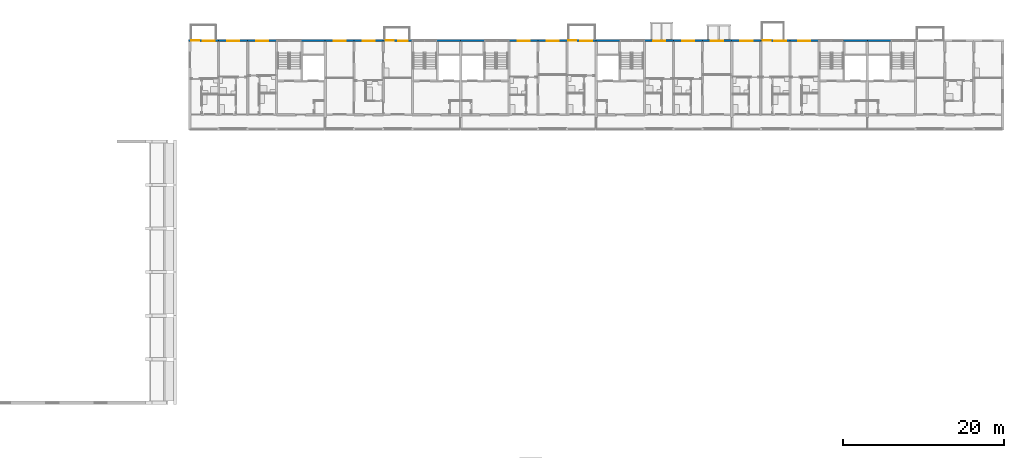
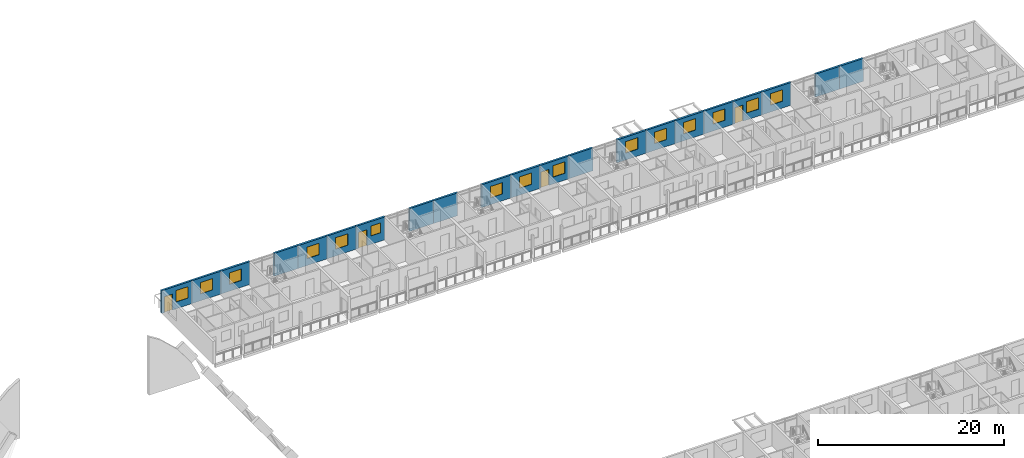
# One storey, part 60 of 100: 21 walls, 15 windows, 4 doors, 19 openings.
"""IFC4 building model written with IfcOpenShell, lengths in metres."""

import ifcopenshell
import ifcopenshell.guid

model = None  # the IFC model being written
_history = None  # IfcOwnerHistory: only IFC2X3 demands one
_inside = {}  # id of a spatial element -> (the spatial element, [elements in it])
_under = {}  # id of a project, library or spatial element -> (it, [spatial elements below it])
_declared = {}  # id of a project -> (the project, [libraries it declares])
_typed = {}  # id of a type object -> (the type object, [elements of that type])
_made_of = {}  # id of a material, layer set ... -> (it, [elements and type objects made of it])


def new_model(schema):
    """Start an empty IFC model of exactly this schema.

    Asked for "IFC4X3", IfcOpenShell would pick the latest addendum, in which some entities
    have other attributes; the version numbers below select the first issue.
    IFC2X3 requires an IfcOwnerHistory on every rooted entity: one is made here for all.
    """
    global model, _history
    if schema == "IFC4X3":
        model = ifcopenshell.file(schema_version=(4, 3, 0, 0))
    else:
        model = ifcopenshell.file(schema=schema)
    _inside.clear()
    _under.clear()
    _declared.clear()
    _typed.clear()
    _made_of.clear()
    _history = None
    if model.schema == "IFC2X3":
        org = make("IfcOrganization", Name="unknown")
        user = make(
            "IfcPersonAndOrganization",
            ThePerson=make("IfcPerson", FamilyName="unknown"),
            TheOrganization=org,
        )
        app = make(
            "IfcApplication",
            ApplicationDeveloper=org,
            Version="unknown",
            ApplicationFullName="unknown",
            ApplicationIdentifier="unknown",
        )
        _history = make(
            "IfcOwnerHistory",
            OwningUser=user,
            OwningApplication=app,
            ChangeAction="ADDED",
            CreationDate=0,
        )
    return model


def make(cls, **values):
    """One entity of the class cls with the attributes given. An attribute that is None is left unset."""
    return model.create_entity(
        cls, **{name: value for name, value in values.items() if value is not None}
    )


def rooted(cls, **values):
    """An entity with a GlobalId (a new one), such as an element, a storey or a relation."""
    return make(cls, GlobalId=ifcopenshell.guid.new(), OwnerHistory=_history, **values)


def si_unit(unit_type, name, prefix=None):
    """IfcSIUnit, for example si_unit("LENGTHUNIT", "METRE", prefix="MILLI")."""
    return make("IfcSIUnit", UnitType=unit_type, Prefix=prefix, Name=name)


def assignment(units):
    """IfcUnitAssignment: the units of a project."""
    return None if units is None else make("IfcUnitAssignment", Units=units)


def point(xyz):
    """IfcCartesianPoint."""
    return None if xyz is None else make("IfcCartesianPoint", Coordinates=xyz)


def direction(xyz):
    """IfcDirection."""
    return None if xyz is None else make("IfcDirection", DirectionRatios=xyz)


def frame(location, z_axis=None, x_axis=None):
    """IfcAxis2Placement3D, a coordinate frame: its origin and axes. An axis left out is left unset."""
    return make(
        "IfcAxis2Placement3D",
        Location=point(location),
        Axis=direction(z_axis),
        RefDirection=direction(x_axis),
    )


def frame_2d(location, x_axis=None):
    """IfcAxis2Placement2D, a coordinate frame in the plane: its origin and x axis."""
    return make(
        "IfcAxis2Placement2D", Location=point(location), RefDirection=direction(x_axis)
    )


def origin():
    """The frame at (0, 0, 0) with its axes left unset."""
    return frame((0.0, 0.0, 0.0))


def place(relative_to, where):
    """IfcLocalPlacement: puts the frame where relative to a parent placement (None: the world)."""
    return make(
        "IfcLocalPlacement", PlacementRelTo=relative_to, RelativePlacement=where
    )


def context(
    kind, dimensions, precision=None, world=None, true_north=None, identifier=None
):
    """IfcGeometricRepresentationContext, for example the 3D "Model" context."""
    return make(
        "IfcGeometricRepresentationContext",
        ContextIdentifier=identifier,
        ContextType=kind,
        CoordinateSpaceDimension=dimensions,
        Precision=precision,
        WorldCoordinateSystem=world,
        TrueNorth=true_north,
    )


def subcontext(parent, identifier, kind, view, scale=None):
    """IfcGeometricRepresentationSubContext, for example "Body" below "Model"."""
    return make(
        "IfcGeometricRepresentationSubContext",
        ContextIdentifier=identifier,
        ContextType=kind,
        ParentContext=parent,
        TargetScale=scale,
        TargetView=view,
    )


def project(units=None, contexts=None):
    """IfcProject with its units and contexts."""
    return rooted(
        "IfcProject",
        Name="project",
        RepresentationContexts=contexts,
        UnitsInContext=assignment(units),
    )


def spatial(cls, under=None, at=None, **own):
    """A site, building, storey or space (cls), placed at a placement, below another one or the project."""
    s = rooted(cls, ObjectPlacement=at, **own)
    if under is not None:
        _under.setdefault(under.id(), (under, []))[1].append(s)
    return s


def profile(cls, at=None, kind="AREA", **sizes):
    """A parametric profile (cls). Its sizes go by their IFC names, for example OverallWidth=200.0."""
    return make(cls, ProfileType=kind, Position=at, **sizes)


def rectangle(**sizes):
    """IfcRectangleProfileDef."""
    return profile("IfcRectangleProfileDef", **sizes)


def extrude(swept, where, along, depth):
    """IfcExtrudedAreaSolid: the profile swept, set in the frame where, extruded along a direction by depth."""
    return make(
        "IfcExtrudedAreaSolid",
        SweptArea=swept,
        Position=where,
        ExtrudedDirection=direction(along),
        Depth=depth,
    )


def shape(context_of_items, identifier, shape_type, items):
    """IfcShapeRepresentation: the items that make up one representation, for example the "Body"."""
    return make(
        "IfcShapeRepresentation",
        ContextOfItems=context_of_items,
        RepresentationIdentifier=identifier,
        RepresentationType=shape_type,
        Items=items,
    )


def material(Name=None, Category=None):
    """IfcMaterial."""
    return make("IfcMaterial", Name=Name, Category=Category)


def layer(
    of_material, thickness, ventilated=None, Name=None, Category=None, Priority=None
):
    """IfcMaterialLayer: one layer of a wall or slab, of a material (None: an air gap)."""
    return make(
        "IfcMaterialLayer",
        Material=of_material,
        LayerThickness=thickness,
        IsVentilated=ventilated,
        Name=Name,
        Category=Category,
        Priority=Priority,
    )


def layer_set(layers, Name=None):
    """IfcMaterialLayerSet."""
    return make("IfcMaterialLayerSet", MaterialLayers=layers, LayerSetName=Name)


def made_of(thing, what):
    """Note that an element or type object is made of a material, layer set ...; save() writes the relation."""
    if what is not None:
        _made_of.setdefault(what.id(), (what, []))[1].append(thing)
    return thing


def type_object(cls, material=None, **own):
    """A type object (cls), such as IfcWallType, which elements share."""
    return made_of(rooted(cls, **own), material)


def element(
    cls,
    number,
    at=None,
    inside=None,
    cuts=None,
    type_object=None,
    material=None,
    context=None,
    identifier="Body",
    shape_type=None,
    held_by="IfcProductDefinitionShape",
    body=None,
    shapes=None,
    **own,
):
    """One element of the class cls, such as IfcWall. Its Tag is "e" and its number.

    at: its placement. inside: the storey or other place that contains it. cuts: it is an
    opening in that element (IfcRelVoidsElement). A single representation is given by context,
    identifier, shape_type and body (its items); several are given by shapes. held_by: the class
    of the entity that holds the representations. save() writes the other relations.
    """
    e = rooted(cls, Tag="e%d" % number, ObjectPlacement=at, **own)
    if body is not None:
        shapes = [shape(context, identifier, shape_type, body)]
    if shapes is not None:
        e.Representation = make(held_by, Representations=shapes)
    if inside is not None:
        _inside.setdefault(inside.id(), (inside, []))[1].append(e)
    if cuts is not None:
        rooted(
            "IfcRelVoidsElement", RelatingBuildingElement=cuts, RelatedOpeningElement=e
        )
    if type_object is not None:
        _typed.setdefault(type_object.id(), (type_object, []))[1].append(e)
    return made_of(e, material)


def fill(opening, filler):
    """IfcRelFillsElement: the door or window that sits in an opening."""
    return rooted(
        "IfcRelFillsElement",
        RelatingOpeningElement=opening,
        RelatedBuildingElement=filler,
    )


def aggregate(whole, parts):
    """IfcRelAggregates: a whole, such as a stair, and the parts it consists of."""
    return rooted("IfcRelAggregates", RelatingObject=whole, RelatedObjects=parts)


def save(model, path):
    """Write the relations noted so far, then the file.

    IfcRelAggregates (storeys below a building ...), IfcRelContainedInSpatialStructure (elements
    in a storey), IfcRelDefinesByType, IfcRelAssociatesMaterial and IfcRelDeclares: one each for
    every whole, place, type object, material and project.
    """
    for whole, parts in _under.values():
        aggregate(whole, parts)
    for where, things in _inside.values():
        rooted(
            "IfcRelContainedInSpatialStructure",
            RelatedElements=things,
            RelatingStructure=where,
        )
    for kind, things in _typed.values():
        rooted("IfcRelDefinesByType", RelatedObjects=things, RelatingType=kind)
    for what, things in _made_of.values():
        rooted("IfcRelAssociatesMaterial", RelatedObjects=things, RelatingMaterial=what)
    for by, libraries in _declared.values():
        rooted("IfcRelDeclares", RelatingContext=by, RelatedDefinitions=libraries)
    model.write(path)


model = new_model("IFC4")

# Units and contexts
model_context = context("Model", 3, precision=1e-05, world=origin(), true_north=direction((0.0, 1.0)))
body_context = subcontext(model_context, "Body", "Model", "MODEL_VIEW")
ifc_project = project(units=[si_unit("LENGTHUNIT", "METRE"), si_unit("AREAUNIT", "SQUARE_METRE"), si_unit("VOLUMEUNIT", "CUBIC_METRE"), si_unit("PLANEANGLEUNIT", "RADIAN"), si_unit("MASSUNIT", "GRAM", prefix="KILO")], contexts=[model_context])

# Site, building, storey
site_placement = place(None, origin())
site = spatial("IfcSite", under=ifc_project, at=site_placement, CompositionType="ELEMENT")
building_placement = place(site_placement, origin())
building = spatial("IfcBuilding", under=site, at=building_placement, Name="Ridgestep Commons", CompositionType="ELEMENT")
storey_placement = place(building_placement, frame((0.0, 0.0, 9.0)))
storey = spatial("IfcBuildingStorey", under=building, at=storey_placement, Name="L03", CompositionType="ELEMENT", Elevation=9.0)

# Wall, openings, door, window
ifc_material_1 = material(Name="Precast concrete C40/50", Category="concrete")
ifc_layer = layer(ifc_material_1, 0.25)
ifc_layer_set = layer_set([ifc_layer], Name="North facade panel 250")
wall_type = type_object("IfcWallType", Name="North facade panel 250", PredefinedType="SOLIDWALL", material=ifc_layer_set)
wall_1_placement = place(storey_placement, frame((146.64990234375, 77.125, 0.0), z_axis=(0.0, 0.0, 1.0), x_axis=(1.0, 0.0, 0.0)))
wall_1 = element("IfcWall", 1, at=wall_1_placement, inside=storey, type_object=wall_type, Name="North panel C1T1 L03", PredefinedType="SOLIDWALL", context=body_context, shape_type="SweptSolid", body=[
    extrude(rectangle(XDim=3.75, YDim=0.25, at=frame_2d((1.875, 0.0))), origin(), (0.0, 0.0, 1.0), 3.0),
])
opening_1_placement = place(wall_1_placement, frame((1.79052734375, 0.0, 0.89990234375)))
opening_1 = element("IfcOpeningElement", 2, at=opening_1_placement, cuts=wall_1, Name="Opening W16", PredefinedType="OPENING", context=body_context, shape_type="SweptSolid", body=[
    extrude(rectangle(XDim=1.5, YDim=1.5, at=frame_2d((0.75, 0.75))), frame((0.0, 0.135009765625, 0.0), z_axis=(0.0, -1.0, 0.0), x_axis=(1.0, 0.0, 0.0)), (0.0, 0.0, 1.0), 0.27001953125),
])
opening_2_placement = place(wall_1_placement, frame((0.3310546875, 0.0, 0.0)))
opening_2 = element("IfcOpeningElement", 3, at=opening_2_placement, cuts=wall_1, Name="Opening C1-03a/5", PredefinedType="OPENING", context=body_context, shape_type="SweptSolid", body=[
    extrude(rectangle(XDim=1.0, YDim=2.10009765625, at=frame_2d((0.5, 1.050048828125))), frame((0.0, 0.135009765625, 0.0), z_axis=(0.0, -1.0, 0.0), x_axis=(1.0, 0.0, 0.0)), (0.0, 0.0, 1.0), 0.27001953125),
])
ifc_material_2 = material(Name="Aluminium and glass", Category="aluminium")
door_type = type_object("IfcDoorType", Name="Balcony door 1000 x 2100", OperationType="NOTDEFINED", PredefinedType="DOOR", material=ifc_material_2)
door_1_placement = place(opening_2_placement, origin())
door_1 = element("IfcDoor", 4, at=door_1_placement, inside=storey, type_object=door_type, Name="Balcony door C1-03a/5", OperationType="SINGLE_SWING_RIGHT", OverallHeight=2.10009765625, OverallWidth=1.0, PredefinedType="DOOR", context=body_context, shape_type="SweptSolid", body=[
    extrude(rectangle(XDim=1.0, YDim=2.10009765625, at=frame_2d((0.5, 1.050048828125))), frame((0.0, 0.02490234375, 0.0), z_axis=(0.0, -1.0, 0.0), x_axis=(1.0, 0.0, 0.0)), (0.0, 0.0, 1.0), 0.050048828125),
])
fill(opening_2, door_1)
ifc_material_3 = material(Name="Aluminium 6063-T6 and glass", Category="aluminium")
window_type_1 = type_object("IfcWindowType", Name="Flat window 1500 x 1500", PartitioningType="DOUBLE_PANEL_VERTICAL", PredefinedType="WINDOW", material=ifc_material_3)
window_1_placement = place(opening_1_placement, origin())
window_1 = element("IfcWindow", 5, at=window_1_placement, inside=storey, type_object=window_type_1, Name="Window C1-03a 2", OverallHeight=1.5, OverallWidth=1.5, PartitioningType="SINGLE_PANEL", PredefinedType="WINDOW", context=body_context, shape_type="SweptSolid", body=[
    extrude(rectangle(XDim=1.5, YDim=1.5, at=frame_2d((0.75, 0.75))), frame((0.0, -0.02490234375, 0.0), z_axis=(0.0, -1.0, 0.0), x_axis=(1.0, 0.0, 0.0)), (0.0, 0.0, 1.0), 0.06005859375),
])
fill(opening_1, window_1)

# Wall, opening, window
wall_2_placement = place(storey_placement, frame((150.39990234375, 77.125, 0.0), z_axis=(0.0, 0.0, 1.0), x_axis=(1.0, 0.0, 0.0)))
wall_2 = element("IfcWall", 6, at=wall_2_placement, inside=storey, type_object=wall_type, Name="North panel C1T2 L03", PredefinedType="SOLIDWALL", context=body_context, shape_type="SweptSolid", body=[
    extrude(rectangle(XDim=3.60009765625, YDim=0.25, at=frame_2d((1.800048828125, 0.0))), origin(), (0.0, 0.0, 1.0), 3.0),
])
opening_3_placement = place(wall_2_placement, frame((1.050048828125, 0.0, 0.89990234375)))
opening_3 = element("IfcOpeningElement", 7, at=opening_3_placement, cuts=wall_2, Name="Opening W16", PredefinedType="OPENING", context=body_context, shape_type="SweptSolid", body=[
    extrude(rectangle(XDim=1.5, YDim=1.5, at=frame_2d((0.75, 0.75))), frame((0.0, 0.135009765625, 0.0), z_axis=(0.0, -1.0, 0.0), x_axis=(1.0, 0.0, 0.0)), (0.0, 0.0, 1.0), 0.27001953125),
])
window_2_placement = place(opening_3_placement, origin())
window_2 = element("IfcWindow", 8, at=window_2_placement, inside=storey, type_object=window_type_1, Name="Window C1-03b 2", OverallHeight=1.5, OverallWidth=1.5, PartitioningType="SINGLE_PANEL", PredefinedType="WINDOW", context=body_context, shape_type="SweptSolid", body=[
    extrude(rectangle(XDim=1.5, YDim=1.5, at=frame_2d((0.75, 0.75))), frame((0.0, -0.02490234375, 0.0), z_axis=(0.0, -1.0, 0.0), x_axis=(1.0, 0.0, 0.0)), (0.0, 0.0, 1.0), 0.06005859375),
])
fill(opening_3, window_2)

wall_3_placement = place(storey_placement, frame((154.0, 77.125, 0.0), z_axis=(0.0, 0.0, 1.0), x_axis=(1.0, 0.0, 0.0)))
wall_3 = element("IfcWall", 9, at=wall_3_placement, inside=storey, type_object=wall_type, Name="North panel C1T3 L03", PredefinedType="SOLIDWALL", context=body_context, shape_type="SweptSolid", body=[
    extrude(rectangle(XDim=3.60009765625, YDim=0.25, at=frame_2d((1.800048828125, 0.0))), origin(), (0.0, 0.0, 1.0), 3.0),
])
opening_4_placement = place(wall_3_placement, frame((1.03759765625, 0.0, 0.89990234375)))
opening_4 = element("IfcOpeningElement", 10, at=opening_4_placement, cuts=wall_3, Name="Opening W16", PredefinedType="OPENING", context=body_context, shape_type="SweptSolid", body=[
    extrude(rectangle(XDim=1.5, YDim=1.5, at=frame_2d((0.75, 0.75))), frame((0.0, 0.135009765625, 0.0), z_axis=(0.0, -1.0, 0.0), x_axis=(1.0, 0.0, 0.0)), (0.0, 0.0, 1.0), 0.27001953125),
])
window_3_placement = place(opening_4_placement, origin())
window_3 = element("IfcWindow", 11, at=window_3_placement, inside=storey, type_object=window_type_1, Name="Window C1-03c 2", OverallHeight=1.5, OverallWidth=1.5, PartitioningType="SINGLE_PANEL", PredefinedType="WINDOW", context=body_context, shape_type="SweptSolid", body=[
    extrude(rectangle(XDim=1.5, YDim=1.5, at=frame_2d((0.75, 0.75))), frame((0.0, -0.02490234375, 0.0), z_axis=(0.0, -1.0, 0.0), x_axis=(1.0, 0.0, 0.0)), (0.0, 0.0, 1.0), 0.06005859375),
])
fill(opening_4, window_3)

# Wall
wall_4_placement = place(storey_placement, frame((160.625, 77.125, 0.0), z_axis=(0.0, 0.0, 1.0), x_axis=(1.0, 0.0, 0.0)))
element("IfcWall", 12, at=wall_4_placement, inside=storey, type_object=wall_type, Name="North panel C1C L03", PredefinedType="SOLIDWALL", context=body_context, shape_type="SweptSolid", body=[
    extrude(rectangle(XDim=2.97509765625, YDim=0.25, at=frame_2d((1.487548828125, 0.0))), origin(), (0.0, 0.0, 1.0), 3.0),
])

# Wall, opening, window
wall_5_placement = place(storey_placement, frame((163.60009765625, 77.125, 0.0), z_axis=(0.0, 0.0, 1.0), x_axis=(1.0, 0.0, 0.0)))
wall_5 = element("IfcWall", 13, at=wall_5_placement, inside=storey, type_object=wall_type, Name="North panel C2T1 L03", PredefinedType="SOLIDWALL", context=body_context, shape_type="SweptSolid", body=[
    extrude(rectangle(XDim=3.599853515625, YDim=0.25, at=frame_2d((1.7998046875, 0.0))), origin(), (0.0, 0.0, 1.0), 3.0),
])
opening_5_placement = place(wall_5_placement, frame((1.074951171875, 0.0, 0.89990234375)))
opening_5 = element("IfcOpeningElement", 14, at=opening_5_placement, cuts=wall_5, Name="Opening W16", PredefinedType="OPENING", context=body_context, shape_type="SweptSolid", body=[
    extrude(rectangle(XDim=1.5, YDim=1.5, at=frame_2d((0.75, 0.75))), frame((0.0, 0.135009765625, 0.0), z_axis=(0.0, -1.0, 0.0), x_axis=(1.0, 0.0, 0.0)), (0.0, 0.0, 1.0), 0.27001953125),
])
window_4_placement = place(opening_5_placement, origin())
window_4 = element("IfcWindow", 15, at=window_4_placement, inside=storey, type_object=window_type_1, Name="Window C2-03a 2", OverallHeight=1.5, OverallWidth=1.5, PartitioningType="SINGLE_PANEL", PredefinedType="WINDOW", context=body_context, shape_type="SweptSolid", body=[
    extrude(rectangle(XDim=1.5, YDim=1.5, at=frame_2d((0.75, 0.75))), frame((0.0, -0.02490234375, 0.0), z_axis=(0.0, -1.0, 0.0), x_axis=(1.0, 0.0, 0.0)), (0.0, 0.0, 1.0), 0.06005859375),
])
fill(opening_5, window_4)

wall_6_placement = place(storey_placement, frame((167.199951171875, 77.125, 0.0), z_axis=(0.0, 0.0, 1.0), x_axis=(1.0, 0.0, 0.0)))
wall_6 = element("IfcWall", 16, at=wall_6_placement, inside=storey, type_object=wall_type, Name="North panel C2T2 L03", PredefinedType="SOLIDWALL", context=body_context, shape_type="SweptSolid", body=[
    extrude(rectangle(XDim=3.60009765625, YDim=0.25, at=frame_2d((1.800048828125, 0.0))), origin(), (0.0, 0.0, 1.0), 3.0),
])
opening_6_placement = place(wall_6_placement, frame((1.050048828125, 0.0, 0.89990234375)))
opening_6 = element("IfcOpeningElement", 17, at=opening_6_placement, cuts=wall_6, Name="Opening W16", PredefinedType="OPENING", context=body_context, shape_type="SweptSolid", body=[
    extrude(rectangle(XDim=1.5, YDim=1.5, at=frame_2d((0.75, 0.75))), frame((0.0, 0.135009765625, 0.0), z_axis=(0.0, -1.0, 0.0), x_axis=(1.0, 0.0, 0.0)), (0.0, 0.0, 1.0), 0.27001953125),
])
window_5_placement = place(opening_6_placement, origin())
window_5 = element("IfcWindow", 18, at=window_5_placement, inside=storey, type_object=window_type_1, Name="Window C2-03a 5", OverallHeight=1.5, OverallWidth=1.5, PartitioningType="SINGLE_PANEL", PredefinedType="WINDOW", context=body_context, shape_type="SweptSolid", body=[
    extrude(rectangle(XDim=1.5, YDim=1.5, at=frame_2d((0.75, 0.75))), frame((0.0, -0.02490234375, 0.0), z_axis=(0.0, -1.0, 0.0), x_axis=(1.0, 0.0, 0.0)), (0.0, 0.0, 1.0), 0.06005859375),
])
fill(opening_6, window_5)

# Wall, openings, door, window
wall_7_placement = place(storey_placement, frame((170.800048828125, 77.125, 0.0), z_axis=(0.0, 0.0, 1.0), x_axis=(1.0, 0.0, 0.0)))
wall_7 = element("IfcWall", 19, at=wall_7_placement, inside=storey, type_object=wall_type, Name="North panel C2T3 L03", PredefinedType="SOLIDWALL", context=body_context, shape_type="SweptSolid", body=[
    extrude(rectangle(XDim=3.599853515625, YDim=0.25, at=frame_2d((1.7998046875, 0.0))), origin(), (0.0, 0.0, 1.0), 3.0),
])
opening_7_placement = place(wall_7_placement, frame((1.842041015625, 0.0, 1.10009765625)))
opening_7 = element("IfcOpeningElement", 20, at=opening_7_placement, cuts=wall_7, Name="Opening W08", PredefinedType="OPENING", context=body_context, shape_type="SweptSolid", body=[
    extrude(rectangle(XDim=1.199951171875, YDim=1.300048828125, at=frame_2d((0.60009765625, 0.64990234375))), frame((0.0, 0.135009765625, 0.0), z_axis=(0.0, -1.0, 0.0), x_axis=(1.0, 0.0, 0.0)), (0.0, 0.0, 1.0), 0.27001953125),
])
opening_8_placement = place(wall_7_placement, frame((0.30908203125, 0.0, 0.0)))
opening_8 = element("IfcOpeningElement", 21, at=opening_8_placement, cuts=wall_7, Name="Opening C2-03a/8", PredefinedType="OPENING", context=body_context, shape_type="SweptSolid", body=[
    extrude(rectangle(XDim=1.0, YDim=2.10009765625, at=frame_2d((0.5, 1.050048828125))), frame((0.0, 0.135009765625, 0.0), z_axis=(0.0, -1.0, 0.0), x_axis=(1.0, 0.0, 0.0)), (0.0, 0.0, 1.0), 0.27001953125),
])
door_2_placement = place(opening_8_placement, origin())
door_2 = element("IfcDoor", 22, at=door_2_placement, inside=storey, type_object=door_type, Name="Balcony door C2-03a/8", OperationType="SINGLE_SWING_RIGHT", OverallHeight=2.10009765625, OverallWidth=1.0, PredefinedType="DOOR", context=body_context, shape_type="SweptSolid", body=[
    extrude(rectangle(XDim=1.0, YDim=2.10009765625, at=frame_2d((0.5, 1.050048828125))), frame((0.0, 0.02490234375, 0.0), z_axis=(0.0, -1.0, 0.0), x_axis=(1.0, 0.0, 0.0)), (0.0, 0.0, 1.0), 0.050048828125),
])
fill(opening_8, door_2)
ifc_material_4 = material(Name="Aluminium 6063-T6 and glass", Category="aluminium")
window_type_2 = type_object("IfcWindowType", Name="Flat window 1200 x 1300", PartitioningType="SINGLE_PANEL", PredefinedType="WINDOW", material=ifc_material_4)
window_6_placement = place(opening_7_placement, origin())
window_6 = element("IfcWindow", 23, at=window_6_placement, inside=storey, type_object=window_type_2, Name="Window C2-03a 4", OverallHeight=1.300048828125, OverallWidth=1.199951171875, PartitioningType="SINGLE_PANEL", PredefinedType="WINDOW", context=body_context, shape_type="SweptSolid", body=[
    extrude(rectangle(XDim=1.199951171875, YDim=1.300048828125, at=frame_2d((0.60009765625, 0.64990234375))), frame((0.0, -0.02490234375, 0.0), z_axis=(0.0, -1.0, 0.0), x_axis=(1.0, 0.0, 0.0)), (0.0, 0.0, 1.0), 0.06005859375),
])
fill(opening_7, window_6)

# Walls
wall_8_placement = place(storey_placement, frame((177.425048828125, 77.125, 0.0), z_axis=(0.0, 0.0, 1.0), x_axis=(1.0, 0.0, 0.0)))
element("IfcWall", 24, at=wall_8_placement, inside=storey, type_object=wall_type, Name="North panel C2C L03", PredefinedType="SOLIDWALL", context=body_context, shape_type="SweptSolid", body=[
    extrude(rectangle(XDim=2.974853515625, YDim=0.25, at=frame_2d((1.4873046875, 0.0))), origin(), (0.0, 0.0, 1.0), 3.0),
])
wall_9_placement = place(storey_placement, frame((180.39990234375, 77.125, 0.0), z_axis=(0.0, 0.0, 1.0), x_axis=(1.0, 0.0, 0.0)))
element("IfcWall", 25, at=wall_9_placement, inside=storey, type_object=wall_type, Name="North panel C3C L03", PredefinedType="SOLIDWALL", context=body_context, shape_type="SweptSolid", body=[
    extrude(rectangle(XDim=2.97509765625, YDim=0.25, at=frame_2d((1.487548828125, 0.0))), origin(), (0.0, 0.0, 1.0), 3.0),
])

# Wall, opening, window
wall_10_placement = place(storey_placement, frame((186.39990234375, 77.125, 0.0), z_axis=(0.0, 0.0, 1.0), x_axis=(1.0, 0.0, 0.0)))
wall_10 = element("IfcWall", 26, at=wall_10_placement, inside=storey, type_object=wall_type, Name="North panel C3T3 L03", PredefinedType="SOLIDWALL", context=body_context, shape_type="SweptSolid", body=[
    extrude(rectangle(XDim=3.60009765625, YDim=0.25, at=frame_2d((1.800048828125, 0.0))), origin(), (0.0, 0.0, 1.0), 3.0),
])
opening_9_placement = place(wall_10_placement, frame((1.050048828125, 0.0, 0.89990234375)))
opening_9 = element("IfcOpeningElement", 27, at=opening_9_placement, cuts=wall_10, Name="Opening W16", PredefinedType="OPENING", context=body_context, shape_type="SweptSolid", body=[
    extrude(rectangle(XDim=1.5, YDim=1.5, at=frame_2d((0.75, 0.75))), frame((0.0, 0.135009765625, 0.0), z_axis=(0.0, -1.0, 0.0), x_axis=(1.0, 0.0, 0.0)), (0.0, 0.0, 1.0), 0.27001953125),
])
window_7_placement = place(opening_9_placement, origin())
window_7 = element("IfcWindow", 28, at=window_7_placement, inside=storey, type_object=window_type_1, Name="Window C3-03b 4", OverallHeight=1.5, OverallWidth=1.5, PartitioningType="SINGLE_PANEL", PredefinedType="WINDOW", context=body_context, shape_type="SweptSolid", body=[
    extrude(rectangle(XDim=1.5, YDim=1.5, at=frame_2d((0.75, 0.75))), frame((0.0, -0.02490234375, 0.0), z_axis=(0.0, -1.0, 0.0), x_axis=(1.0, 0.0, 0.0)), (0.0, 0.0, 1.0), 0.06005859375),
])
fill(opening_9, window_7)

wall_11_placement = place(storey_placement, frame((190.0, 77.125, 0.0), z_axis=(0.0, 0.0, 1.0), x_axis=(1.0, 0.0, 0.0)))
wall_11 = element("IfcWall", 29, at=wall_11_placement, inside=storey, type_object=wall_type, Name="North panel C3T2 L03", PredefinedType="SOLIDWALL", context=body_context, shape_type="SweptSolid", body=[
    extrude(rectangle(XDim=3.60009765625, YDim=0.25, at=frame_2d((1.800048828125, 0.0))), origin(), (0.0, 0.0, 1.0), 3.0),
])
opening_10_placement = place(wall_11_placement, frame((1.0625, 0.0, 0.89990234375)))
opening_10 = element("IfcOpeningElement", 30, at=opening_10_placement, cuts=wall_11, Name="Opening W16", PredefinedType="OPENING", context=body_context, shape_type="SweptSolid", body=[
    extrude(rectangle(XDim=1.5, YDim=1.5, at=frame_2d((0.75, 0.75))), frame((0.0, 0.135009765625, 0.0), z_axis=(0.0, -1.0, 0.0), x_axis=(1.0, 0.0, 0.0)), (0.0, 0.0, 1.0), 0.27001953125),
])
window_8_placement = place(opening_10_placement, origin())
window_8 = element("IfcWindow", 31, at=window_8_placement, inside=storey, type_object=window_type_1, Name="Window C3-03b 2", OverallHeight=1.5, OverallWidth=1.5, PartitioningType="SINGLE_PANEL", PredefinedType="WINDOW", context=body_context, shape_type="SweptSolid", body=[
    extrude(rectangle(XDim=1.5, YDim=1.5, at=frame_2d((0.75, 0.75))), frame((0.0, -0.02490234375, 0.0), z_axis=(0.0, -1.0, 0.0), x_axis=(1.0, 0.0, 0.0)), (0.0, 0.0, 1.0), 0.06005859375),
])
fill(opening_10, window_8)

# Wall, openings, door, window
wall_12_placement = place(storey_placement, frame((193.60009765625, 77.125, 0.0), z_axis=(0.0, 0.0, 1.0), x_axis=(1.0, 0.0, 0.0)))
wall_12 = element("IfcWall", 32, at=wall_12_placement, inside=storey, type_object=wall_type, Name="North panel C3T1 L03", PredefinedType="SOLIDWALL", context=body_context, shape_type="SweptSolid", body=[
    extrude(rectangle(XDim=3.599853515625, YDim=0.25, at=frame_2d((1.7998046875, 0.0))), origin(), (0.0, 0.0, 1.0), 3.0),
])
opening_11_placement = place(wall_12_placement, frame((1.60009765625, 0.0, 0.89990234375)))
opening_11 = element("IfcOpeningElement", 33, at=opening_11_placement, cuts=wall_12, Name="Opening W16", PredefinedType="OPENING", context=body_context, shape_type="SweptSolid", body=[
    extrude(rectangle(XDim=1.5, YDim=1.5, at=frame_2d((0.75, 0.75))), frame((0.0, 0.135009765625, 0.0), z_axis=(0.0, -1.0, 0.0), x_axis=(1.0, 0.0, 0.0)), (0.0, 0.0, 1.0), 0.27001953125),
])
opening_12_placement = place(wall_12_placement, frame((0.14990234375, 0.0, 0.0)))
opening_12 = element("IfcOpeningElement", 34, at=opening_12_placement, cuts=wall_12, Name="Opening C3-03a/5", PredefinedType="OPENING", context=body_context, shape_type="SweptSolid", body=[
    extrude(rectangle(XDim=1.0, YDim=2.10009765625, at=frame_2d((0.5, 1.050048828125))), frame((0.0, 0.135009765625, 0.0), z_axis=(0.0, -1.0, 0.0), x_axis=(1.0, 0.0, 0.0)), (0.0, 0.0, 1.0), 0.27001953125),
])
door_3_placement = place(opening_12_placement, origin())
door_3 = element("IfcDoor", 35, at=door_3_placement, inside=storey, type_object=door_type, Name="Balcony door C3-03a/5", OperationType="SINGLE_SWING_RIGHT", OverallHeight=2.10009765625, OverallWidth=1.0, PredefinedType="DOOR", context=body_context, shape_type="SweptSolid", body=[
    extrude(rectangle(XDim=1.0, YDim=2.10009765625, at=frame_2d((0.5, 1.050048828125))), frame((0.0, 0.02490234375, 0.0), z_axis=(0.0, -1.0, 0.0), x_axis=(1.0, 0.0, 0.0)), (0.0, 0.0, 1.0), 0.050048828125),
])
fill(opening_12, door_3)
window_9_placement = place(opening_11_placement, origin())
window_9 = element("IfcWindow", 36, at=window_9_placement, inside=storey, type_object=window_type_1, Name="Window C3-03a 2", OverallHeight=1.5, OverallWidth=1.5, PartitioningType="SINGLE_PANEL", PredefinedType="WINDOW", context=body_context, shape_type="SweptSolid", body=[
    extrude(rectangle(XDim=1.5, YDim=1.5, at=frame_2d((0.75, 0.75))), frame((0.0, -0.02490234375, 0.0), z_axis=(0.0, -1.0, 0.0), x_axis=(1.0, 0.0, 0.0)), (0.0, 0.0, 1.0), 0.06005859375),
])
fill(opening_11, window_9)

# Wall
wall_13_placement = place(storey_placement, frame((197.199951171875, 77.125, 0.0), z_axis=(0.0, 0.0, 1.0), x_axis=(1.0, 0.0, 0.0)))
element("IfcWall", 37, at=wall_13_placement, inside=storey, type_object=wall_type, Name="North panel C4C L03", PredefinedType="SOLIDWALL", context=body_context, shape_type="SweptSolid", body=[
    extrude(rectangle(XDim=2.97509765625, YDim=0.25, at=frame_2d((1.487548828125, 0.0))), origin(), (0.0, 0.0, 1.0), 3.0),
])

# Wall, opening, window
wall_14_placement = place(storey_placement, frame((203.199951171875, 77.125, 0.0), z_axis=(0.0, 0.0, 1.0), x_axis=(1.0, 0.0, 0.0)))
wall_14 = element("IfcWall", 38, at=wall_14_placement, inside=storey, type_object=wall_type, Name="North panel C4T3 L03", PredefinedType="SOLIDWALL", context=body_context, shape_type="SweptSolid", body=[
    extrude(rectangle(XDim=3.60009765625, YDim=0.25, at=frame_2d((1.800048828125, 0.0))), origin(), (0.0, 0.0, 1.0), 3.0),
])
opening_13_placement = place(wall_14_placement, frame((1.0625, 0.0, 0.89990234375)))
opening_13 = element("IfcOpeningElement", 39, at=opening_13_placement, cuts=wall_14, Name="Opening W16", PredefinedType="OPENING", context=body_context, shape_type="SweptSolid", body=[
    extrude(rectangle(XDim=1.5, YDim=1.5, at=frame_2d((0.75, 0.75))), frame((0.0, 0.135009765625, 0.0), z_axis=(0.0, -1.0, 0.0), x_axis=(1.0, 0.0, 0.0)), (0.0, 0.0, 1.0), 0.27001953125),
])
window_10_placement = place(opening_13_placement, origin())
window_10 = element("IfcWindow", 40, at=window_10_placement, inside=storey, type_object=window_type_1, Name="Window C4-03b 2", OverallHeight=1.5, OverallWidth=1.5, PartitioningType="SINGLE_PANEL", PredefinedType="WINDOW", context=body_context, shape_type="SweptSolid", body=[
    extrude(rectangle(XDim=1.5, YDim=1.5, at=frame_2d((0.75, 0.75))), frame((0.0, -0.02490234375, 0.0), z_axis=(0.0, -1.0, 0.0), x_axis=(1.0, 0.0, 0.0)), (0.0, 0.0, 1.0), 0.06005859375),
])
fill(opening_13, window_10)

wall_15_placement = place(storey_placement, frame((206.800048828125, 77.125, 0.0), z_axis=(0.0, 0.0, 1.0), x_axis=(1.0, 0.0, 0.0)))
wall_15 = element("IfcWall", 41, at=wall_15_placement, inside=storey, type_object=wall_type, Name="North panel C4T2 L03", PredefinedType="SOLIDWALL", context=body_context, shape_type="SweptSolid", body=[
    extrude(rectangle(XDim=3.599853515625, YDim=0.25, at=frame_2d((1.7998046875, 0.0))), origin(), (0.0, 0.0, 1.0), 3.0),
])
opening_14_placement = place(wall_15_placement, frame((1.050048828125, 0.0, 0.89990234375)))
opening_14 = element("IfcOpeningElement", 42, at=opening_14_placement, cuts=wall_15, Name="Opening W16", PredefinedType="OPENING", context=body_context, shape_type="SweptSolid", body=[
    extrude(rectangle(XDim=1.5, YDim=1.5, at=frame_2d((0.75, 0.75))), frame((0.0, 0.135009765625, 0.0), z_axis=(0.0, -1.0, 0.0), x_axis=(1.0, 0.0, 0.0)), (0.0, 0.0, 1.0), 0.27001953125),
])
window_11_placement = place(opening_14_placement, origin())
window_11 = element("IfcWindow", 43, at=window_11_placement, inside=storey, type_object=window_type_1, Name="Window C4-03a 4", OverallHeight=1.5, OverallWidth=1.5, PartitioningType="SINGLE_PANEL", PredefinedType="WINDOW", context=body_context, shape_type="SweptSolid", body=[
    extrude(rectangle(XDim=1.5, YDim=1.5, at=frame_2d((0.75, 0.75))), frame((0.0, -0.02490234375, 0.0), z_axis=(0.0, -1.0, 0.0), x_axis=(1.0, 0.0, 0.0)), (0.0, 0.0, 1.0), 0.06005859375),
])
fill(opening_14, window_11)

wall_16_placement = place(storey_placement, frame((210.39990234375, 77.125, 0.0), z_axis=(0.0, 0.0, 1.0), x_axis=(1.0, 0.0, 0.0)))
wall_16 = element("IfcWall", 44, at=wall_16_placement, inside=storey, type_object=wall_type, Name="North panel C4T1 L03", PredefinedType="SOLIDWALL", context=body_context, shape_type="SweptSolid", body=[
    extrude(rectangle(XDim=3.60009765625, YDim=0.25, at=frame_2d((1.800048828125, 0.0))), origin(), (0.0, 0.0, 1.0), 3.0),
])
opening_15_placement = place(wall_16_placement, frame((1.02490234375, 0.0, 0.89990234375)))
opening_15 = element("IfcOpeningElement", 45, at=opening_15_placement, cuts=wall_16, Name="Opening W16", PredefinedType="OPENING", context=body_context, shape_type="SweptSolid", body=[
    extrude(rectangle(XDim=1.5, YDim=1.5, at=frame_2d((0.75, 0.75))), frame((0.0, 0.135009765625, 0.0), z_axis=(0.0, -1.0, 0.0), x_axis=(1.0, 0.0, 0.0)), (0.0, 0.0, 1.0), 0.27001953125),
])
window_12_placement = place(opening_15_placement, origin())
window_12 = element("IfcWindow", 46, at=window_12_placement, inside=storey, type_object=window_type_1, Name="Window C4-03a 2", OverallHeight=1.5, OverallWidth=1.5, PartitioningType="SINGLE_PANEL", PredefinedType="WINDOW", context=body_context, shape_type="SweptSolid", body=[
    extrude(rectangle(XDim=1.5, YDim=1.5, at=frame_2d((0.75, 0.75))), frame((0.0, -0.02490234375, 0.0), z_axis=(0.0, -1.0, 0.0), x_axis=(1.0, 0.0, 0.0)), (0.0, 0.0, 1.0), 0.06005859375),
])
fill(opening_15, window_12)

wall_17_placement = place(storey_placement, frame((214.0, 77.125, 0.0), z_axis=(0.0, 0.0, 1.0), x_axis=(1.0, 0.0, 0.0)))
wall_17 = element("IfcWall", 47, at=wall_17_placement, inside=storey, type_object=wall_type, Name="North panel C5T1 L03", PredefinedType="SOLIDWALL", context=body_context, shape_type="SweptSolid", body=[
    extrude(rectangle(XDim=3.60009765625, YDim=0.25, at=frame_2d((1.800048828125, 0.0))), origin(), (0.0, 0.0, 1.0), 3.0),
])
opening_16_placement = place(wall_17_placement, frame((1.074951171875, 0.0, 0.89990234375)))
opening_16 = element("IfcOpeningElement", 48, at=opening_16_placement, cuts=wall_17, Name="Opening W16", PredefinedType="OPENING", context=body_context, shape_type="SweptSolid", body=[
    extrude(rectangle(XDim=1.5, YDim=1.5, at=frame_2d((0.75, 0.75))), frame((0.0, 0.135009765625, 0.0), z_axis=(0.0, -1.0, 0.0), x_axis=(1.0, 0.0, 0.0)), (0.0, 0.0, 1.0), 0.27001953125),
])
window_13_placement = place(opening_16_placement, origin())
window_13 = element("IfcWindow", 49, at=window_13_placement, inside=storey, type_object=window_type_1, Name="Window C5-03a 2", OverallHeight=1.5, OverallWidth=1.5, PartitioningType="SINGLE_PANEL", PredefinedType="WINDOW", context=body_context, shape_type="SweptSolid", body=[
    extrude(rectangle(XDim=1.5, YDim=1.5, at=frame_2d((0.75, 0.75))), frame((0.0, -0.02490234375, 0.0), z_axis=(0.0, -1.0, 0.0), x_axis=(1.0, 0.0, 0.0)), (0.0, 0.0, 1.0), 0.06005859375),
])
fill(opening_16, window_13)

# Wall, openings, door, window
wall_18_placement = place(storey_placement, frame((217.60009765625, 77.125, 0.0), z_axis=(0.0, 0.0, 1.0), x_axis=(1.0, 0.0, 0.0)))
wall_18 = element("IfcWall", 50, at=wall_18_placement, inside=storey, type_object=wall_type, Name="North panel C5T2 L03", PredefinedType="SOLIDWALL", context=body_context, shape_type="SweptSolid", body=[
    extrude(rectangle(XDim=3.599853515625, YDim=0.25, at=frame_2d((1.7998046875, 0.0))), origin(), (0.0, 0.0, 1.0), 3.0),
])
opening_17_placement = place(wall_18_placement, frame((1.659423828125, 0.0, 0.89990234375)))
opening_17 = element("IfcOpeningElement", 51, at=opening_17_placement, cuts=wall_18, Name="Opening W16", PredefinedType="OPENING", context=body_context, shape_type="SweptSolid", body=[
    extrude(rectangle(XDim=1.5, YDim=1.5, at=frame_2d((0.75, 0.75))), frame((0.0, 0.135009765625, 0.0), z_axis=(0.0, -1.0, 0.0), x_axis=(1.0, 0.0, 0.0)), (0.0, 0.0, 1.0), 0.27001953125),
])
opening_18_placement = place(wall_18_placement, frame((0.243896484375, 0.0, 0.0)))
opening_18 = element("IfcOpeningElement", 52, at=opening_18_placement, cuts=wall_18, Name="Opening C5-03b/5", PredefinedType="OPENING", context=body_context, shape_type="SweptSolid", body=[
    extrude(rectangle(XDim=1.0, YDim=2.10009765625, at=frame_2d((0.5, 1.050048828125))), frame((0.0, 0.135009765625, 0.0), z_axis=(0.0, -1.0, 0.0), x_axis=(1.0, 0.0, 0.0)), (0.0, 0.0, 1.0), 0.27001953125),
])
door_4_placement = place(opening_18_placement, origin())
door_4 = element("IfcDoor", 53, at=door_4_placement, inside=storey, type_object=door_type, Name="Balcony door C5-03b/5", OperationType="SINGLE_SWING_RIGHT", OverallHeight=2.10009765625, OverallWidth=1.0, PredefinedType="DOOR", context=body_context, shape_type="SweptSolid", body=[
    extrude(rectangle(XDim=1.0, YDim=2.10009765625, at=frame_2d((0.5, 1.050048828125))), frame((0.0, 0.02490234375, 0.0), z_axis=(0.0, -1.0, 0.0), x_axis=(1.0, 0.0, 0.0)), (0.0, 0.0, 1.0), 0.050048828125),
])
fill(opening_18, door_4)
window_14_placement = place(opening_17_placement, origin())
window_14 = element("IfcWindow", 54, at=window_14_placement, inside=storey, type_object=window_type_1, Name="Window C5-03b 2", OverallHeight=1.5, OverallWidth=1.5, PartitioningType="SINGLE_PANEL", PredefinedType="WINDOW", context=body_context, shape_type="SweptSolid", body=[
    extrude(rectangle(XDim=1.5, YDim=1.5, at=frame_2d((0.75, 0.75))), frame((0.0, -0.02490234375, 0.0), z_axis=(0.0, -1.0, 0.0), x_axis=(1.0, 0.0, 0.0)), (0.0, 0.0, 1.0), 0.06005859375),
])
fill(opening_17, window_14)

# Wall, opening, window
wall_19_placement = place(storey_placement, frame((221.199951171875, 77.125, 0.0), z_axis=(0.0, 0.0, 1.0), x_axis=(1.0, 0.0, 0.0)))
wall_19 = element("IfcWall", 55, at=wall_19_placement, inside=storey, type_object=wall_type, Name="North panel C5T3 L03", PredefinedType="SOLIDWALL", context=body_context, shape_type="SweptSolid", body=[
    extrude(rectangle(XDim=3.60009765625, YDim=0.25, at=frame_2d((1.800048828125, 0.0))), origin(), (0.0, 0.0, 1.0), 3.0),
])
opening_19_placement = place(wall_19_placement, frame((1.050048828125, 0.0, 0.89990234375)))
opening_19 = element("IfcOpeningElement", 56, at=opening_19_placement, cuts=wall_19, Name="Opening W16", PredefinedType="OPENING", context=body_context, shape_type="SweptSolid", body=[
    extrude(rectangle(XDim=1.5, YDim=1.5, at=frame_2d((0.75, 0.75))), frame((0.0, 0.135009765625, 0.0), z_axis=(0.0, -1.0, 0.0), x_axis=(1.0, 0.0, 0.0)), (0.0, 0.0, 1.0), 0.27001953125),
])
window_15_placement = place(opening_19_placement, origin())
window_15 = element("IfcWindow", 57, at=window_15_placement, inside=storey, type_object=window_type_1, Name="Window C5-03c 2", OverallHeight=1.5, OverallWidth=1.5, PartitioningType="SINGLE_PANEL", PredefinedType="WINDOW", context=body_context, shape_type="SweptSolid", body=[
    extrude(rectangle(XDim=1.5, YDim=1.5, at=frame_2d((0.75, 0.75))), frame((0.0, -0.02490234375, 0.0), z_axis=(0.0, -1.0, 0.0), x_axis=(1.0, 0.0, 0.0)), (0.0, 0.0, 1.0), 0.06005859375),
])
fill(opening_19, window_15)

# Walls
wall_20_placement = place(storey_placement, frame((227.824951171875, 77.125, 0.0), z_axis=(0.0, 0.0, 1.0), x_axis=(1.0, 0.0, 0.0)))
element("IfcWall", 58, at=wall_20_placement, inside=storey, type_object=wall_type, Name="North panel C5C L03", PredefinedType="SOLIDWALL", context=body_context, shape_type="SweptSolid", body=[
    extrude(rectangle(XDim=2.97509765625, YDim=0.25, at=frame_2d((1.487548828125, 0.0))), origin(), (0.0, 0.0, 1.0), 3.0),
])
wall_21_placement = place(storey_placement, frame((230.800048828125, 77.125, 0.0), z_axis=(0.0, 0.0, 1.0), x_axis=(1.0, 0.0, 0.0)))
element("IfcWall", 59, at=wall_21_placement, inside=storey, type_object=wall_type, Name="North panel C6C L03", PredefinedType="SOLIDWALL", context=body_context, shape_type="SweptSolid", body=[
    extrude(rectangle(XDim=2.974853515625, YDim=0.25, at=frame_2d((1.4873046875, 0.0))), origin(), (0.0, 0.0, 1.0), 3.0),
])

save(model, "model.ifc")
